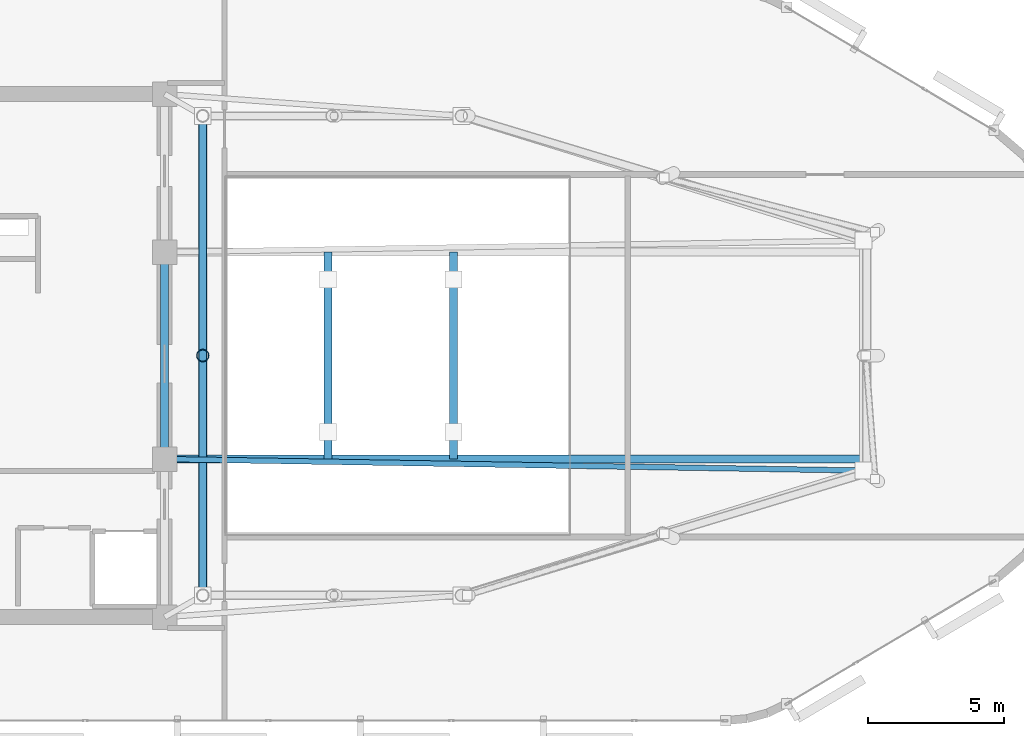
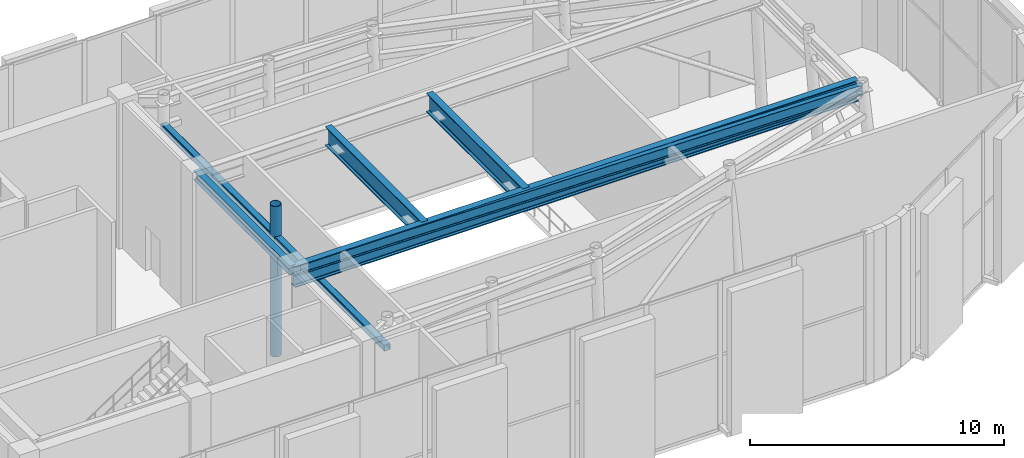
# One storey, part 6 of 20: 5 beams, 2 members.
"""IFC4 building model written with IfcOpenShell, lengths in metres."""

from ifc_helpers import new_model, si_unit, direction, frame, origin, origin_2d, place, context, subcontext, project, spatial, hollow_rectangle, hollow_circle, i_section, extrude, material, material_profile, profile_set, type_object, element, save


model = new_model("IFC4")

# Units and contexts
model_context = context("Model", 3, precision=1e-05, world=origin(), true_north=direction((0.0, 1.0)))
body_context = subcontext(model_context, "Body", "Model", "MODEL_VIEW")
ifc_project = project(units=[si_unit("LENGTHUNIT", "METRE"), si_unit("AREAUNIT", "SQUARE_METRE"), si_unit("VOLUMEUNIT", "CUBIC_METRE"), si_unit("PLANEANGLEUNIT", "RADIAN"), si_unit("MASSUNIT", "GRAM", prefix="KILO")], contexts=[model_context])

# Site, building, storey
site_placement = place(None, origin())
site = spatial("IfcSite", under=ifc_project, at=site_placement, CompositionType="ELEMENT")
building_placement = place(site_placement, origin())
building = spatial("IfcBuilding", under=site, at=building_placement, Name="An Khanh Terracotta Commons", CompositionType="ELEMENT")
storey_placement = place(building_placement, frame((0.0, 0.0, 308.0)))
storey = spatial("IfcBuildingStorey", under=building, at=storey_placement, Name="L79 Crown Damper Gallery", CompositionType="ELEMENT", Elevation=308.0)

# Beams
ifc_material_1 = material(Name="Steel S355J2", Category="steel")
ifc_material_profile_1 = material_profile(ifc_material_1, i_section(OverallWidth=0.300048828125, OverallDepth=0.449951171875, WebThickness=0.013916015625, FlangeThickness=0.02587890625, FilletRadius=0.027099609375, at=origin_2d()), Name="HEB450")
ifc_profile_set_1 = profile_set([ifc_material_profile_1], Name="Steel S355J2")
beam_type_1 = type_object("IfcBeamType", Name="BM-HEB450", PredefinedType="BEAM", material=ifc_profile_set_1)
beam_1_placement = place(storey_placement, frame((37.199951171875, 20.199951171875, 6.72509765625), z_axis=(0.0, 1.0, 0.0), x_axis=(-1.0, 0.0, 0.0)))
element("IfcBeam", 1, at=beam_1_placement, inside=storey, type_object=beam_type_1, Name="L79 Crown Damper Gallery Core East Coupling Girder 2", PredefinedType="BEAM", context=body_context, shape_type="SweptSolid", body=[
    extrude(i_section(OverallWidth=0.300048828125, OverallDepth=0.449951171875, WebThickness=0.013916015625, FlangeThickness=0.02587890625, FilletRadius=0.027099609375, at=origin_2d()), origin(), (0.0, 0.0, 1.0), 7.60009765625),
])
ifc_material_2 = material(Name="Steel S460ML", Category="steel")
ifc_material_profile_2 = material_profile(ifc_material_2, i_section(OverallWidth=0.302001953125, OverallDepth=1.008056640625, WebThickness=0.02099609375, FlangeThickness=0.0400390625, FilletRadius=0.030029296875, at=origin_2d()), Name="HEM1000")
ifc_profile_set_2 = profile_set([ifc_material_profile_2], Name="Steel S460ML")
beam_type_2 = type_object("IfcBeamType", Name="BM-HEM1000", PredefinedType="BEAM", material=ifc_profile_set_2)
beam_2_placement = place(storey_placement, frame((37.199951171875, 20.199951171875, 6.446044921875), z_axis=(1.0, 0.0, 0.0), x_axis=(0.0, 1.0, 0.0)))
element("IfcBeam", 2, at=beam_2_placement, inside=storey, type_object=beam_type_2, Name="Pendulum TMD Primary Suspension Girder South", PredefinedType="BEAM", context=body_context, shape_type="SweptSolid", body=[
    extrude(i_section(OverallWidth=0.302001953125, OverallDepth=1.008056640625, WebThickness=0.02099609375, FlangeThickness=0.0400390625, FilletRadius=0.030029296875, at=origin_2d()), origin(), (0.0, 0.0, 1.0), 25.650146484375),
])
ifc_material_profile_3 = material_profile(ifc_material_2, i_section(OverallWidth=0.302001953125, OverallDepth=0.909912109375, WebThickness=0.02099609375, FlangeThickness=0.0400390625, FilletRadius=0.030029296875, at=origin_2d()), Name="HEM900")
ifc_profile_set_3 = profile_set([ifc_material_profile_3], Name="Steel S460ML")
beam_type_3 = type_object("IfcBeamType", Name="BM-HEM900", PredefinedType="BEAM", material=ifc_profile_set_3)
for number, where, z_axis, x_axis, name in (
    (3, (43.199951171875, 20.199951171875, 6.4951171875), (0.0, 1.0, 0.0), (-1.0, 0.0, 0.0), "Pendulum TMD Cross-Header West"),
    (4, (47.800048828125, 20.199951171875, 6.4951171875), (0.0, 1.0, 0.0), (-1.0, 0.0, 0.0), "Pendulum TMD Cross-Header East"),
):
    element("IfcBeam", number, at=place(storey_placement, frame(where, z_axis=z_axis, x_axis=x_axis)), inside=storey, type_object=beam_type_3, Name=name, PredefinedType="BEAM", context=body_context, shape_type="SweptSolid", body=[
        extrude(i_section(OverallWidth=0.302001953125, OverallDepth=0.909912109375, WebThickness=0.02099609375, FlangeThickness=0.0400390625, FilletRadius=0.030029296875, at=origin_2d()), origin(), (0.0, 0.0, 1.0), 7.60009765625),
    ])
ifc_material_profile_4 = material_profile(ifc_material_1, i_section(OverallWidth=0.199951171875, OverallDepth=0.5, WebThickness=0.01025390625, FlangeThickness=0.01611328125, FilletRadius=0.02099609375, at=origin_2d()), Name="IPE500")
ifc_profile_set_4 = profile_set([ifc_material_profile_4], Name="Steel S355J2")
beam_type_4 = type_object("IfcBeamType", Name="BM-IPE500", PredefinedType="BEAM", material=ifc_profile_set_4)
beam_3_placement = place(storey_placement, frame((37.199951171875, 20.199951171875, 6.699951171875), z_axis=(0.999866019987, -0.016368936299, 0.0), x_axis=(0.016368936299, 0.999866019987, 0.0)))
element("IfcBeam", 5, at=beam_3_placement, inside=storey, type_object=beam_type_4, Name="L79 Crown Damper Gallery Crown Radial Tie Beam 3", PredefinedType="BEAM", context=body_context, shape_type="SweptSolid", body=[
    extrude(i_section(OverallWidth=0.199951171875, OverallDepth=0.5, WebThickness=0.01025390625, FlangeThickness=0.01611328125, FilletRadius=0.02099609375, at=origin_2d()), origin(), (0.0, 0.0, 1.0), 25.653564453125),
])

# Members
ifc_material_profile_5 = material_profile(ifc_material_2, hollow_circle(Radius=0.228515625, WallThickness=0.02001953125, at=origin_2d()), Name="CHS457x20")
ifc_profile_set_5 = profile_set([ifc_material_profile_5], Name="Steel S460ML")
member_type_1 = type_object("IfcMemberType", Name="CROWN FRAME RIB CHS457", PredefinedType="STRUT", material=ifc_profile_set_5)
member_1_placement = place(storey_placement, frame((38.60009765625, 24.0, -0.1201171875), z_axis=(0.0, 0.0, 1.0), x_axis=(1.0, 0.0, 0.0)))
element("IfcMember", 6, at=member_1_placement, inside=storey, type_object=member_type_1, Name="L79 Crown Damper Gallery CROWN FRAME Facet Strut 6", PredefinedType="STRUT", context=body_context, shape_type="SweptSolid", body=[
    extrude(hollow_circle(Radius=0.228515625, WallThickness=0.02001953125, at=origin_2d()), origin(), (0.0, 0.0, 1.0), 7.240234375),
])
ifc_material_profile_6 = material_profile(ifc_material_2, hollow_rectangle(XDim=0.300048828125, YDim=0.300048828125, WallThickness=0.01611328125, InnerFilletRadius=0.01611328125, OuterFilletRadius=0.031982421875, at=origin_2d()), Name="SHS300x300x16")
ifc_profile_set_6 = profile_set([ifc_material_profile_6], Name="Steel S460ML")
member_type_2 = type_object("IfcMemberType", Name="CROWN FRAME RING SHS300", PredefinedType="CHORD", material=ifc_profile_set_6)
member_2_placement = place(storey_placement, frame((38.60009765625, 32.800048828125, 5.527099609375), z_axis=(0.0, -1.0, 0.0), x_axis=(1.0, 0.0, 0.0)))
element("IfcMember", 7, at=member_2_placement, inside=storey, type_object=member_type_2, Name="L79 Crown Damper Gallery CROWN FRAME Sill Ring Chord 6", PredefinedType="CHORD", context=body_context, shape_type="SweptSolid", body=[
    extrude(hollow_rectangle(XDim=0.300048828125, YDim=0.300048828125, WallThickness=0.01611328125, InnerFilletRadius=0.01611328125, OuterFilletRadius=0.031982421875, at=origin_2d()), origin(), (0.0, 0.0, 1.0), 17.60009765625),
])

save(model, "model.ifc")
